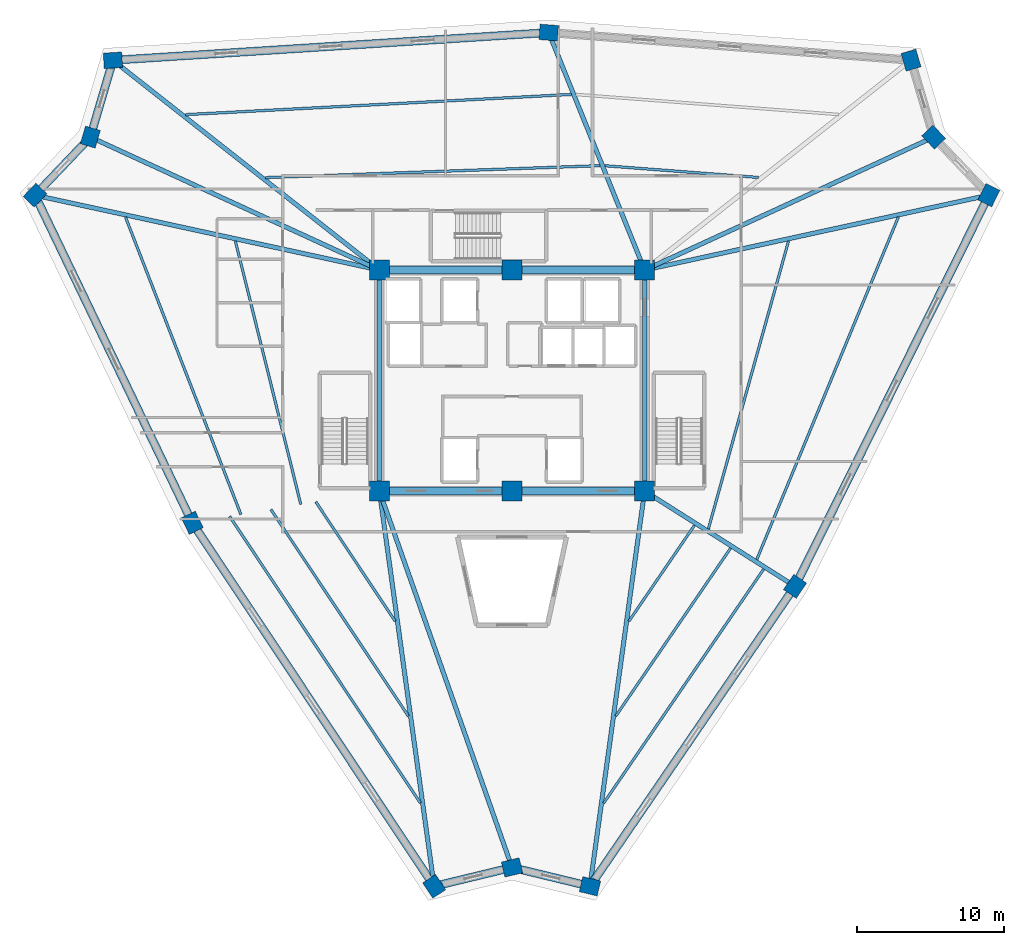
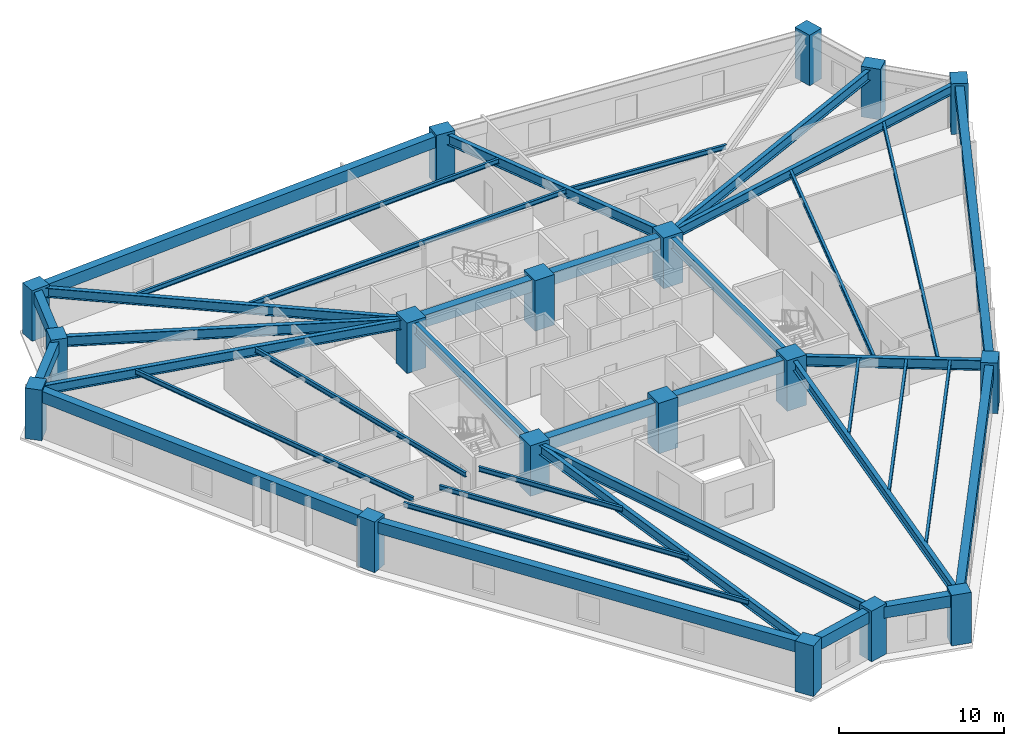
# One storey, part 1 of 8: 38 beams, 18 columns.
"""IFC4 building model written with IfcOpenShell, lengths in metres."""

from ifc_helpers import new_model, si_unit, direction, frame, origin, origin_2d, place, context, subcontext, project, spatial, rectangle, i_section, extrude, source, transform, mapped, material, material_profile, profile_set, type_object, element, save


model = new_model("IFC4")

# Units and contexts
model_context = context("Model", 3, precision=1e-05, world=origin(), true_north=direction((0.0, 1.0)))
body_context = subcontext(model_context, "Body", "Model", "MODEL_VIEW")
ifc_project = project(units=[si_unit("LENGTHUNIT", "METRE"), si_unit("AREAUNIT", "SQUARE_METRE"), si_unit("VOLUMEUNIT", "CUBIC_METRE"), si_unit("PLANEANGLEUNIT", "RADIAN"), si_unit("MASSUNIT", "GRAM", prefix="KILO")], contexts=[model_context])

# Site, building, storey
site_placement = place(None, origin())
site = spatial("IfcSite", under=ifc_project, at=site_placement, CompositionType="ELEMENT")
building_placement = place(site_placement, origin())
building = spatial("IfcBuilding", under=site, at=building_placement, Name="Liaohun Quay Tower", CompositionType="ELEMENT")
storey_placement = place(building_placement, frame((0.0, 0.0, 240.0)))
storey = spatial("IfcBuildingStorey", under=building, at=storey_placement, Name="L62", CompositionType="ELEMENT", Elevation=240.0)

# Columns
ifc_material_1 = material(Name="Concrete C55", Category="concrete")
ifc_material_profile_1 = material_profile(ifc_material_1, rectangle(XDim=1.35009765625, YDim=1.35009765625, at=origin_2d()), Name="RC1350x1350")
ifc_profile_set_1 = profile_set([ifc_material_profile_1], Name="Concrete C55")
column_type_1 = type_object("IfcColumnType", Name="COL-CC-Z3", PredefinedType="COLUMN", material=ifc_profile_set_1)
shared_shape_1 = source(origin(), body_context, "Body", "SweptSolid", [
    extrude(rectangle(XDim=1.35009765625, YDim=1.35009765625, at=origin_2d()), origin(), (0.0, 0.0, 1.0), 3.75),
])
for number, where, z_axis, x_axis, name in (
    (1, (51.0, 46.5, 0.0), (0.0, 0.0, 1.0), (1.0, 0.0, 0.0), "L62 Core Column CC1"),
    (2, (60.0, 46.5, 0.0), (0.0, 0.0, 1.0), (1.0, 0.0, 0.0), "L62 Core Column CC2"),
    (3, (69.0, 46.5, 0.0), (0.0, 0.0, 1.0), (1.0, 0.0, 0.0), "L62 Core Column CC3"),
    (4, (69.0, 61.5, 0.0), (0.0, 0.0, 1.0), (1.0, 0.0, 0.0), "L62 Core Column CC4"),
    (5, (60.0, 61.5, 0.0), (0.0, 0.0, 1.0), (1.0, 0.0, 0.0), "L62 Core Column CC5"),
    (6, (51.0, 61.5, 0.0), (0.0, 0.0, 1.0), (1.0, 0.0, 0.0), "L62 Core Column CC6"),
):
    element("IfcColumn", number, at=place(storey_placement, frame(where, z_axis=z_axis, x_axis=x_axis)), inside=storey, type_object=column_type_1, Name=name, PredefinedType="COLUMN", context=body_context, shape_type="MappedRepresentation", body=[
        mapped(shared_shape_1, transform((0.0, 0.0, 0.0), x_axis=(1.0, 0.0, 0.0), y_axis=(0.0, 1.0, 0.0), z_axis=(0.0, 0.0, 1.0), scale=1.0)),
    ])
ifc_material_profile_2 = material_profile(ifc_material_1, rectangle(XDim=1.25, YDim=1.050048828125, at=origin_2d()), Name="RC1250x1050")
ifc_profile_set_2 = profile_set([ifc_material_profile_2], Name="Concrete C55")
column_type_2 = type_object("IfcColumnType", Name="COL-PIER-Z3", PredefinedType="COLUMN", material=ifc_profile_set_2)
shared_shape_2 = source(origin(), body_context, "Body", "SweptSolid", [
    extrude(rectangle(XDim=1.25, YDim=1.050048828125, at=origin_2d()), origin(), (0.0, 0.0, 1.0), 3.75),
])
for number, where, z_axis, x_axis, name in (
    (7, (54.715087890625, 19.677001953125, 0.0), (0.0, 0.0, 1.0), (-0.55397290306, 0.83253469758, 0.0), "L62 Perimeter Pier PC01"),
    (8, (38.300048828125, 44.346923828125, 0.0), (0.0, 0.0, 1.0), (-0.43271524133, 0.9015306539, 0.0), "L62 Perimeter Pier PC02"),
    (9, (27.626953125, 66.5791015625, 0.0), (0.0, 0.0, 1.0), (0.68936671806, 0.724412539946, 0.0), "L62 Perimeter Pier PC03"),
    (10, (31.381103515625, 70.52392578125, 0.0), (0.0, 0.0, 1.0), (0.282508884416, 0.959264682049, 0.0), "L62 Perimeter Pier PC04"),
    (11, (32.9169921875, 75.738037109375, 0.0), (0.0, 0.0, 1.0), (0.997982649167, 0.063487258268, 0.0), "L62 Perimeter Pier PC05"),
    (12, (62.490966796875, 77.6201171875, 0.0), (0.0, 0.0, 1.0), (-0.997106069232, 0.076022935354, 0.0), "L62 Perimeter Pier PC06"),
    (13, (87.080078125, 75.74609375, 0.0), (0.0, 0.0, 1.0), (-0.282508884416, 0.959264682049, 0.0), "L62 Perimeter Pier PC07"),
    (14, (88.618896484375, 70.52392578125, 0.0), (0.0, 0.0, 1.0), (-0.68936671806, 0.724412539946, 0.0), "L62 Perimeter Pier PC08"),
    (15, (92.366943359375, 66.5849609375, 0.0), (0.0, 0.0, 1.0), (0.444009746106, 0.896021955849, 0.0), "L62 Perimeter Pier PC09"),
    (16, (79.2099609375, 40.033935546875, 0.0), (0.0, 0.0, 1.0), (0.564390827903, 0.825507718546, 0.0), "L62 Perimeter Pier PC10"),
    (17, (65.2919921875, 19.675048828125, 0.0), (0.0, 0.0, 1.0), (-0.972043021443, 0.234802820391, 0.0), "L62 Perimeter Pier PC11"),
    (18, (60.0, 20.952880859375, 0.0), (0.0, 0.0, 1.0), (0.972043021443, 0.234802820391, 0.0), "L62 Perimeter Pier PC12"),
):
    element("IfcColumn", number, at=place(storey_placement, frame(where, z_axis=z_axis, x_axis=x_axis)), inside=storey, type_object=column_type_2, Name=name, PredefinedType="COLUMN", context=body_context, shape_type="MappedRepresentation", body=[
        mapped(shared_shape_2, transform((0.0, 0.0, 0.0), x_axis=(1.0, 0.0, 0.0), y_axis=(0.0, 1.0, 0.0), z_axis=(0.0, 0.0, 1.0), scale=1.0)),
    ])

# Beams
ifc_material_2 = material(Name="Steel Q355D", Category="steel")
ifc_material_profile_3 = material_profile(ifc_material_2, i_section(OverallWidth=0.300048828125, OverallDepth=0.800048828125, WebThickness=0.013916015625, FlangeThickness=0.02587890625, at=origin_2d()), Name="HN800x300x14x26")
ifc_profile_set_3 = profile_set([ifc_material_profile_3], Name="Steel Q355D")
beam_type_1 = type_object("IfcBeamType", Name="BM-RAD-M1", PredefinedType="BEAM", material=ifc_profile_set_3)
shared_shape_3 = source(origin(), body_context, "Body", "SweptSolid", [
    extrude(i_section(OverallWidth=0.300048828125, OverallDepth=0.800048828125, WebThickness=0.013916015625, FlangeThickness=0.02587890625, at=origin_2d()), origin(), (0.0, 0.0, 1.0), 15.0),
])
for number, where, z_axis, x_axis, name in (
    (19, (69.0, 46.5, 3.169921875), (0.0, 1.0, 0.0), (-1.0, 0.0, 0.0), "L62 Core Coupling/Ring Beam CC3-CC4"),
    (20, (51.0, 61.5, 3.169921875), (0.0, -1.0, 0.0), (1.0, 0.0, 0.0), "L62 Core Coupling/Ring Beam CC6-CC1"),
):
    element("IfcBeam", number, at=place(storey_placement, frame(where, z_axis=z_axis, x_axis=x_axis)), inside=storey, type_object=beam_type_1, Name=name, PredefinedType="BEAM", context=body_context, shape_type="MappedRepresentation", body=[
        mapped(shared_shape_3, transform((0.0, 0.0, 0.0), x_axis=(1.0, 0.0, 0.0), y_axis=(0.0, 1.0, 0.0), z_axis=(0.0, 0.0, 1.0), scale=1.0)),
    ])
ifc_material_profile_4 = material_profile(ifc_material_1, rectangle(XDim=0.550048828125, YDim=0.89990234375, at=origin_2d()), Name="RC550x900")
ifc_profile_set_4 = profile_set([ifc_material_profile_4], Name="Concrete C55")
beam_type_2 = type_object("IfcBeamType", Name="BM-CPL-2", PredefinedType="LINTEL", material=ifc_profile_set_4)
shared_shape_4 = source(origin(), body_context, "Body", "SweptSolid", [
    extrude(rectangle(XDim=0.550048828125, YDim=0.89990234375, at=origin_2d()), origin(), (0.0, 0.0, 1.0), 9.0),
])
for number, where, z_axis, x_axis, name in (
    (21, (51.0, 46.5, 3.1201171875), (1.0, 0.0, 0.0), (0.0, 1.0, 0.0), "L62 Core Coupling/Ring Beam CC1-CC2"),
    (22, (60.0, 46.5, 3.1201171875), (1.0, 0.0, 0.0), (0.0, 1.0, 0.0), "L62 Core Coupling/Ring Beam CC2-CC3"),
    (23, (69.0, 61.5, 3.1201171875), (-1.0, 0.0, 0.0), (0.0, -1.0, 0.0), "L62 Core Coupling/Ring Beam CC4-CC5"),
    (24, (60.0, 61.5, 3.1201171875), (-1.0, 0.0, 0.0), (0.0, -1.0, 0.0), "L62 Core Coupling/Ring Beam CC5-CC6"),
):
    element("IfcBeam", number, at=place(storey_placement, frame(where, z_axis=z_axis, x_axis=x_axis)), inside=storey, type_object=beam_type_2, Name=name, PredefinedType="LINTEL", context=body_context, shape_type="MappedRepresentation", body=[
        mapped(shared_shape_4, transform((0.0, 0.0, 0.0), x_axis=(1.0, 0.0, 0.0), y_axis=(0.0, 1.0, 0.0), z_axis=(0.0, 0.0, 1.0), scale=1.0)),
    ])
ifc_material_profile_5 = material_profile(ifc_material_2, i_section(OverallWidth=0.300048828125, OverallDepth=0.699951171875, WebThickness=0.012939453125, FlangeThickness=0.02392578125, at=origin_2d()), Name="HN700x300x13x24")
ifc_profile_set_5 = profile_set([ifc_material_profile_5], Name="Steel Q355D")
beam_type_3 = type_object("IfcBeamType", Name="BM-RAD-U1", PredefinedType="BEAM", material=ifc_profile_set_5)
shared_shape_5 = source(origin(), body_context, "Body", "SweptSolid", [
    extrude(i_section(OverallWidth=0.300048828125, OverallDepth=0.699951171875, WebThickness=0.012939453125, FlangeThickness=0.02392578125, at=origin_2d()), origin(), (0.0, 0.0, 1.0), 27.0791015625),
])
beam_1_placement = place(storey_placement, frame((51.0, 46.5, 3.219970703125), z_axis=(0.137194159402, -0.990544175, 0.0), x_axis=(0.990544175, 0.137194159402, 0.0)))
element("IfcBeam", 25, at=beam_1_placement, inside=storey, type_object=beam_type_3, Name="L62 Radial Primary Girder CC1-PC01", PredefinedType="BEAM", context=body_context, shape_type="MappedRepresentation", body=[
    mapped(shared_shape_5, transform((0.0, 0.0, 0.0), x_axis=(1.0, 0.0, 0.0), y_axis=(0.0, 1.0, 0.0), z_axis=(0.0, 0.0, 1.0), scale=1.0)),
])
shared_shape_6 = source(origin(), body_context, "Body", "SweptSolid", [
    extrude(i_section(OverallWidth=0.300048828125, OverallDepth=0.699951171875, WebThickness=0.012939453125, FlangeThickness=0.02392578125, at=origin_2d()), origin(), (0.0, 0.0, 1.0), 23.91845703125),
])
beam_2_placement = place(storey_placement, frame((51.0, 61.5, 3.219970703125), z_axis=(-0.977193679701, 0.212349976106, 0.0), x_axis=(-0.212349976106, -0.977193679701, 0.0)))
element("IfcBeam", 26, at=beam_2_placement, inside=storey, type_object=beam_type_3, Name="L62 Radial Primary Girder CC6-PC03", PredefinedType="BEAM", context=body_context, shape_type="MappedRepresentation", body=[
    mapped(shared_shape_6, transform((0.0, 0.0, 0.0), x_axis=(1.0, 0.0, 0.0), y_axis=(0.0, 1.0, 0.0), z_axis=(0.0, 0.0, 1.0), scale=1.0)),
])
ifc_material_profile_6 = material_profile(ifc_material_2, i_section(OverallWidth=0.300048828125, OverallDepth=0.75, WebThickness=0.013916015625, FlangeThickness=0.02587890625, at=origin_2d()), Name="HN750x300x14x26")
ifc_profile_set_6 = profile_set([ifc_material_profile_6], Name="Steel Q355D")
beam_type_4 = type_object("IfcBeamType", Name="BM-RAD-M2", PredefinedType="BEAM", material=ifc_profile_set_6)
shared_shape_7 = source(origin(), body_context, "Body", "SweptSolid", [
    extrude(i_section(OverallWidth=0.300048828125, OverallDepth=0.75, WebThickness=0.013916015625, FlangeThickness=0.02587890625, at=origin_2d()), origin(), (0.0, 0.0, 1.0), 21.5947265625),
])
for number, where, z_axis, x_axis, name in (
    (27, (51.0, 61.5, 3.195068359375), (-0.908503930052, 0.417876308349, 0.0), (-0.417876308349, -0.908503930052, 0.0), "L62 Radial Primary Girder CC6-PC04"),
    (28, (69.0, 61.5, 3.195068359375), (0.908503930052, 0.417876308349, 0.0), (-0.417876308349, 0.908503930052, 0.0), "L62 Radial Primary Girder CC4-PC08"),
):
    element("IfcBeam", number, at=place(storey_placement, frame(where, z_axis=z_axis, x_axis=x_axis)), inside=storey, type_object=beam_type_4, Name=name, PredefinedType="BEAM", context=body_context, shape_type="MappedRepresentation", body=[
        mapped(shared_shape_7, transform((0.0, 0.0, 0.0), x_axis=(1.0, 0.0, 0.0), y_axis=(0.0, 1.0, 0.0), z_axis=(0.0, 0.0, 1.0), scale=1.0)),
    ])
shared_shape_8 = source(origin(), body_context, "Body", "SweptSolid", [
    extrude(i_section(OverallWidth=0.300048828125, OverallDepth=0.699951171875, WebThickness=0.012939453125, FlangeThickness=0.02392578125, at=origin_2d()), origin(), (0.0, 0.0, 1.0), 23.015625),
])
beam_3_placement = place(storey_placement, frame((51.0, 61.5, 3.219970703125), z_axis=(-0.785685551866, 0.618626069278, 0.0), x_axis=(-0.618626069278, -0.785685551866, 0.0)))
element("IfcBeam", 29, at=beam_3_placement, inside=storey, type_object=beam_type_3, Name="L62 Radial Primary Girder CC6-PC05", PredefinedType="BEAM", context=body_context, shape_type="MappedRepresentation", body=[
    mapped(shared_shape_8, transform((0.0, 0.0, 0.0), x_axis=(1.0, 0.0, 0.0), y_axis=(0.0, 1.0, 0.0), z_axis=(0.0, 0.0, 1.0), scale=1.0)),
])
shared_shape_9 = source(origin(), body_context, "Body", "SweptSolid", [
    extrude(i_section(OverallWidth=0.300048828125, OverallDepth=0.75, WebThickness=0.013916015625, FlangeThickness=0.02587890625, at=origin_2d()), origin(), (0.0, 0.0, 1.0), 17.384521484375),
])
beam_4_placement = place(storey_placement, frame((69.0, 61.5, 3.195068359375), z_axis=(-0.374412894449, 0.927262090495, 0.0), x_axis=(-0.927262090495, -0.374412894449, 0.0)))
element("IfcBeam", 30, at=beam_4_placement, inside=storey, type_object=beam_type_4, Name="L62 Radial Primary Girder CC4-PC06", PredefinedType="BEAM", context=body_context, shape_type="MappedRepresentation", body=[
    mapped(shared_shape_9, transform((0.0, 0.0, 0.0), x_axis=(1.0, 0.0, 0.0), y_axis=(0.0, 1.0, 0.0), z_axis=(0.0, 0.0, 1.0), scale=1.0)),
])
shared_shape_10 = source(origin(), body_context, "Body", "SweptSolid", [
    extrude(i_section(OverallWidth=0.300048828125, OverallDepth=0.699951171875, WebThickness=0.012939453125, FlangeThickness=0.02392578125, at=origin_2d()), origin(), (0.0, 0.0, 1.0), 23.913818359375),
])
beam_5_placement = place(storey_placement, frame((69.0, 61.5, 3.219970703125), z_axis=(0.977131285161, 0.212636900746, 0.0), x_axis=(-0.212636900746, 0.977131285161, 0.0)))
element("IfcBeam", 31, at=beam_5_placement, inside=storey, type_object=beam_type_3, Name="L62 Radial Primary Girder CC4-PC09", PredefinedType="BEAM", context=body_context, shape_type="MappedRepresentation", body=[
    mapped(shared_shape_10, transform((0.0, 0.0, 0.0), x_axis=(1.0, 0.0, 0.0), y_axis=(0.0, 1.0, 0.0), z_axis=(0.0, 0.0, 1.0), scale=1.0)),
])
shared_shape_11 = source(origin(), body_context, "Body", "SweptSolid", [
    extrude(i_section(OverallWidth=0.300048828125, OverallDepth=0.75, WebThickness=0.013916015625, FlangeThickness=0.02587890625, at=origin_2d()), origin(), (0.0, 0.0, 1.0), 12.085205078125),
])
beam_6_placement = place(storey_placement, frame((69.0, 46.5, 3.195068359375), z_axis=(0.844828206974, -0.535037662881, 0.0), x_axis=(0.535037662881, 0.844828206974, 0.0)))
element("IfcBeam", 32, at=beam_6_placement, inside=storey, type_object=beam_type_4, Name="L62 Radial Primary Girder CC3-PC10", PredefinedType="BEAM", context=body_context, shape_type="MappedRepresentation", body=[
    mapped(shared_shape_11, transform((0.0, 0.0, 0.0), x_axis=(1.0, 0.0, 0.0), y_axis=(0.0, 1.0, 0.0), z_axis=(0.0, 0.0, 1.0), scale=1.0)),
])
shared_shape_12 = source(origin(), body_context, "Body", "SweptSolid", [
    extrude(i_section(OverallWidth=0.300048828125, OverallDepth=0.699951171875, WebThickness=0.012939453125, FlangeThickness=0.02392578125, at=origin_2d()), origin(), (0.0, 0.0, 1.0), 27.080078125),
])
beam_7_placement = place(storey_placement, frame((69.0, 46.5, 3.219970703125), z_axis=(-0.136927823784, -0.990581027011, 0.0), x_axis=(0.990581027011, -0.136927823784, 0.0)))
element("IfcBeam", 33, at=beam_7_placement, inside=storey, type_object=beam_type_3, Name="L62 Radial Primary Girder CC3-PC11", PredefinedType="BEAM", context=body_context, shape_type="MappedRepresentation", body=[
    mapped(shared_shape_12, transform((0.0, 0.0, 0.0), x_axis=(1.0, 0.0, 0.0), y_axis=(0.0, 1.0, 0.0), z_axis=(0.0, 0.0, 1.0), scale=1.0)),
])
shared_shape_13 = source(origin(), body_context, "Body", "SweptSolid", [
    extrude(i_section(OverallWidth=0.300048828125, OverallDepth=0.75, WebThickness=0.013916015625, FlangeThickness=0.02587890625, at=origin_2d()), origin(), (0.0, 0.0, 1.0), 27.086181640625),
])
beam_8_placement = place(storey_placement, frame((51.0, 46.5, 3.195068359375), z_axis=(0.332274092752, -0.943182870543, 0.0), x_axis=(0.943182870543, 0.332274092752, 0.0)))
element("IfcBeam", 34, at=beam_8_placement, inside=storey, type_object=beam_type_4, Name="L62 Radial Primary Girder CC1-PC12", PredefinedType="BEAM", context=body_context, shape_type="MappedRepresentation", body=[
    mapped(shared_shape_13, transform((0.0, 0.0, 0.0), x_axis=(1.0, 0.0, 0.0), y_axis=(0.0, 1.0, 0.0), z_axis=(0.0, 0.0, 1.0), scale=1.0)),
])
ifc_material_profile_7 = material_profile(ifc_material_2, i_section(OverallWidth=0.175048828125, OverallDepth=0.35009765625, WebThickness=0.007080078125, FlangeThickness=0.010986328125, at=origin_2d()), Name="HN350x175x7x11")
ifc_profile_set_7 = profile_set([ifc_material_profile_7], Name="Steel Q355D")
beam_type_5 = type_object("IfcBeamType", Name="BM-SEC-J3", PredefinedType="JOIST", material=ifc_profile_set_7)
shared_shape_14 = source(origin(), body_context, "Body", "SweptSolid", [
    extrude(i_section(OverallWidth=0.175048828125, OverallDepth=0.35009765625, WebThickness=0.007080078125, FlangeThickness=0.010986328125, at=origin_2d()), origin(), (0.0, 0.0, 1.0), 9.7294921875),
])
beam_9_placement = place(storey_placement, frame((52.072021484375, 37.66796875, 3.39501953125), z_axis=(-0.553993544208, 0.832520962484, 0.0), x_axis=(-0.832520962484, -0.553993544208, 0.0)))
element("IfcBeam", 35, at=beam_9_placement, inside=storey, type_object=beam_type_5, Name="L62 Wing Secondary Floor Joist SJ-01", PredefinedType="JOIST", context=body_context, shape_type="MappedRepresentation", body=[
    mapped(shared_shape_14, transform((0.0, 0.0, 0.0), x_axis=(1.0, 0.0, 0.0), y_axis=(0.0, 1.0, 0.0), z_axis=(0.0, 0.0, 1.0), scale=1.0)),
])
shared_shape_15 = source(origin(), body_context, "Body", "SweptSolid", [
    extrude(i_section(OverallWidth=0.175048828125, OverallDepth=0.35009765625, WebThickness=0.007080078125, FlangeThickness=0.010986328125, at=origin_2d()), origin(), (0.0, 0.0, 1.0), 16.8408203125),
])
beam_10_placement = place(storey_placement, frame((52.962890625, 31.22998046875, 3.39501953125), z_axis=(-0.553940551333, 0.83255622368, 0.0), x_axis=(-0.83255622368, -0.553940551333, 0.0)))
element("IfcBeam", 36, at=beam_10_placement, inside=storey, type_object=beam_type_5, Name="L62 Wing Secondary Floor Joist SJ-02", PredefinedType="JOIST", context=body_context, shape_type="MappedRepresentation", body=[
    mapped(shared_shape_15, transform((0.0, 0.0, 0.0), x_axis=(1.0, 0.0, 0.0), y_axis=(0.0, 1.0, 0.0), z_axis=(0.0, 0.0, 1.0), scale=1.0)),
])
shared_shape_16 = source(origin(), body_context, "Body", "SweptSolid", [
    extrude(i_section(OverallWidth=0.175048828125, OverallDepth=0.35009765625, WebThickness=0.007080078125, FlangeThickness=0.010986328125, at=origin_2d()), origin(), (0.0, 0.0, 1.0), 23.36083984375),
])
beam_11_placement = place(storey_placement, frame((53.781005859375, 25.3291015625, 3.39501953125), z_axis=(-0.55395716171, 0.832545171741, 0.0), x_axis=(-0.832545171741, -0.55395716171, 0.0)))
element("IfcBeam", 37, at=beam_11_placement, inside=storey, type_object=beam_type_5, Name="L62 Wing Secondary Floor Joist SJ-03", PredefinedType="JOIST", context=body_context, shape_type="MappedRepresentation", body=[
    mapped(shared_shape_16, transform((0.0, 0.0, 0.0), x_axis=(1.0, 0.0, 0.0), y_axis=(0.0, 1.0, 0.0), z_axis=(0.0, 0.0, 1.0), scale=1.0)),
])
shared_shape_17 = source(origin(), body_context, "Body", "SweptSolid", [
    extrude(i_section(OverallWidth=0.175048828125, OverallDepth=0.35009765625, WebThickness=0.007080078125, FlangeThickness=0.010986328125, at=origin_2d()), origin(), (0.0, 0.0, 1.0), 18.418701171875),
])
beam_12_placement = place(storey_placement, frame((45.666015625, 45.595947265625, 3.39501953125), z_axis=(-0.241163090818, 0.970484602468, 0.0), x_axis=(-0.970484602468, -0.241163090818, 0.0)))
element("IfcBeam", 38, at=beam_12_placement, inside=storey, type_object=beam_type_5, Name="L62 Wing Secondary Floor Joist SJ-04", PredefinedType="JOIST", context=body_context, shape_type="MappedRepresentation", body=[
    mapped(shared_shape_17, transform((0.0, 0.0, 0.0), x_axis=(1.0, 0.0, 0.0), y_axis=(0.0, 1.0, 0.0), z_axis=(0.0, 0.0, 1.0), scale=1.0)),
])
shared_shape_18 = source(origin(), body_context, "Body", "SweptSolid", [
    extrude(i_section(OverallWidth=0.175048828125, OverallDepth=0.35009765625, WebThickness=0.007080078125, FlangeThickness=0.010986328125, at=origin_2d()), origin(), (0.0, 0.0, 1.0), 21.650634765625),
])
beam_13_placement = place(storey_placement, frame((41.60205078125, 44.906982421875, 3.39501953125), z_axis=(-0.361789906789, 0.932259654466, 0.0), x_axis=(-0.932259654466, -0.361789906789, 0.0)))
element("IfcBeam", 39, at=beam_13_placement, inside=storey, type_object=beam_type_5, Name="L62 Wing Secondary Floor Joist SJ-05", PredefinedType="JOIST", context=body_context, shape_type="MappedRepresentation", body=[
    mapped(shared_shape_18, transform((0.0, 0.0, 0.0), x_axis=(1.0, 0.0, 0.0), y_axis=(0.0, 1.0, 0.0), z_axis=(0.0, 0.0, 1.0), scale=1.0)),
])
shared_shape_19 = source(origin(), body_context, "Body", "SweptSolid", [
    extrude(i_section(OverallWidth=0.175048828125, OverallDepth=0.35009765625, WebThickness=0.007080078125, FlangeThickness=0.010986328125, at=origin_2d()), origin(), (0.0, 0.0, 1.0), 22.716796875),
])
beam_14_placement = place(storey_placement, frame((43.27490234375, 67.77294921875, 3.39501953125), z_axis=(0.999357861205, 0.035831065398, 0.0), x_axis=(-0.035831065398, 0.999357861205, 0.0)))
element("IfcBeam", 40, at=beam_14_placement, inside=storey, type_object=beam_type_5, Name="L62 Wing Secondary Floor Joist SJ-06", PredefinedType="JOIST", context=body_context, shape_type="MappedRepresentation", body=[
    mapped(shared_shape_19, transform((0.0, 0.0, 0.0), x_axis=(1.0, 0.0, 0.0), y_axis=(0.0, 1.0, 0.0), z_axis=(0.0, 0.0, 1.0), scale=1.0)),
])
shared_shape_20 = source(origin(), body_context, "Body", "SweptSolid", [
    extrude(i_section(OverallWidth=0.175048828125, OverallDepth=0.35009765625, WebThickness=0.007080078125, FlangeThickness=0.010986328125, at=origin_2d()), origin(), (0.0, 0.0, 1.0), 26.21484375),
])
beam_15_placement = place(storey_placement, frame((37.845947265625, 72.048095703125, 3.39501953125), z_axis=(0.998629843216, 0.052330070121, 0.0), x_axis=(-0.052330070121, 0.998629843216, 0.0)))
element("IfcBeam", 41, at=beam_15_placement, inside=storey, type_object=beam_type_5, Name="L62 Wing Secondary Floor Joist SJ-07", PredefinedType="JOIST", context=body_context, shape_type="MappedRepresentation", body=[
    mapped(shared_shape_20, transform((0.0, 0.0, 0.0), x_axis=(1.0, 0.0, 0.0), y_axis=(0.0, 1.0, 0.0), z_axis=(0.0, 0.0, 1.0), scale=1.0)),
])
shared_shape_21 = source(origin(), body_context, "Body", "SweptSolid", [
    extrude(i_section(OverallWidth=0.175048828125, OverallDepth=0.35009765625, WebThickness=0.007080078125, FlangeThickness=0.010986328125, at=origin_2d()), origin(), (0.0, 0.0, 1.0), 10.461181640625),
])
beam_16_placement = place(storey_placement, frame((66.302978515625, 68.580078125, 3.39501953125), z_axis=(0.997106965928, -0.076011173506, 0.0), x_axis=(0.076011173506, 0.997106965928, 0.0)))
element("IfcBeam", 42, at=beam_16_placement, inside=storey, type_object=beam_type_5, Name="L62 Wing Secondary Floor Joist SJ-08", PredefinedType="JOIST", context=body_context, shape_type="MappedRepresentation", body=[
    mapped(shared_shape_21, transform((0.0, 0.0, 0.0), x_axis=(1.0, 0.0, 0.0), y_axis=(0.0, 1.0, 0.0), z_axis=(0.0, 0.0, 1.0), scale=1.0)),
])
shared_shape_22 = source(origin(), body_context, "Body", "SweptSolid", [
    extrude(i_section(OverallWidth=0.175048828125, OverallDepth=0.35009765625, WebThickness=0.007080078125, FlangeThickness=0.010986328125, at=origin_2d()), origin(), (0.0, 0.0, 1.0), 20.27978515625),
])
beam_17_placement = place(storey_placement, frame((78.76904296875, 63.471923828125, 3.39501953125), z_axis=(-0.268195801484, -0.963364423293, 0.0), x_axis=(0.963364423293, -0.268195801484, 0.0)))
element("IfcBeam", 43, at=beam_17_placement, inside=storey, type_object=beam_type_5, Name="L62 Wing Secondary Floor Joist SJ-10", PredefinedType="JOIST", context=body_context, shape_type="MappedRepresentation", body=[
    mapped(shared_shape_22, transform((0.0, 0.0, 0.0), x_axis=(1.0, 0.0, 0.0), y_axis=(0.0, 1.0, 0.0), z_axis=(0.0, 0.0, 1.0), scale=1.0)),
])
shared_shape_23 = source(origin(), body_context, "Body", "SweptSolid", [
    extrude(i_section(OverallWidth=0.175048828125, OverallDepth=0.35009765625, WebThickness=0.007080078125, FlangeThickness=0.010986328125, at=origin_2d()), origin(), (0.0, 0.0, 1.0), 25.14599609375),
])
beam_18_placement = place(storey_placement, frame((86.221923828125, 65.093994140625, 3.39501953125), z_axis=(-0.382085939007, -0.924126796069, 0.0), x_axis=(0.924126796069, -0.382085939007, 0.0)))
element("IfcBeam", 44, at=beam_18_placement, inside=storey, type_object=beam_type_5, Name="L62 Wing Secondary Floor Joist SJ-11", PredefinedType="JOIST", context=body_context, shape_type="MappedRepresentation", body=[
    mapped(shared_shape_23, transform((0.0, 0.0, 0.0), x_axis=(1.0, 0.0, 0.0), y_axis=(0.0, 1.0, 0.0), z_axis=(0.0, 0.0, 1.0), scale=1.0)),
])
shared_shape_24 = source(origin(), body_context, "Body", "SweptSolid", [
    extrude(i_section(OverallWidth=0.175048828125, OverallDepth=0.35009765625, WebThickness=0.007080078125, FlangeThickness=0.010986328125, at=origin_2d()), origin(), (0.0, 0.0, 1.0), 7.899169921875),
])
beam_19_placement = place(storey_placement, frame((72.386962890625, 44.177978515625, 3.39501953125), z_axis=(-0.564362556206, -0.825527046893, 0.0), x_axis=(0.825527046893, -0.564362556206, 0.0)))
element("IfcBeam", 45, at=beam_19_placement, inside=storey, type_object=beam_type_5, Name="L62 Wing Secondary Floor Joist SJ-12", PredefinedType="JOIST", context=body_context, shape_type="MappedRepresentation", body=[
    mapped(shared_shape_24, transform((0.0, 0.0, 0.0), x_axis=(1.0, 0.0, 0.0), y_axis=(0.0, 1.0, 0.0), z_axis=(0.0, 0.0, 1.0), scale=1.0)),
])
shared_shape_25 = source(origin(), body_context, "Body", "SweptSolid", [
    extrude(i_section(OverallWidth=0.175048828125, OverallDepth=0.35009765625, WebThickness=0.007080078125, FlangeThickness=0.010986328125, at=origin_2d()), origin(), (0.0, 0.0, 1.0), 13.817626953125),
])
beam_20_placement = place(storey_placement, frame((74.8369140625, 42.6259765625, 3.39501953125), z_axis=(-0.564342458791, -0.825540785913, 0.0), x_axis=(0.825540785913, -0.564342458791, 0.0)))
element("IfcBeam", 46, at=beam_20_placement, inside=storey, type_object=beam_type_5, Name="L62 Wing Secondary Floor Joist SJ-13", PredefinedType="JOIST", context=body_context, shape_type="MappedRepresentation", body=[
    mapped(shared_shape_25, transform((0.0, 0.0, 0.0), x_axis=(1.0, 0.0, 0.0), y_axis=(0.0, 1.0, 0.0), z_axis=(0.0, 0.0, 1.0), scale=1.0)),
])
shared_shape_26 = source(origin(), body_context, "Body", "SweptSolid", [
    extrude(i_section(OverallWidth=0.175048828125, OverallDepth=0.35009765625, WebThickness=0.007080078125, FlangeThickness=0.010986328125, at=origin_2d()), origin(), (0.0, 0.0, 1.0), 19.242431640625),
])
beam_21_placement = place(storey_placement, frame((77.0830078125, 41.202880859375, 3.39501953125), z_axis=(-0.56438595777, -0.825511048183, 0.0), x_axis=(0.825511048183, -0.56438595777, 0.0)))
element("IfcBeam", 47, at=beam_21_placement, inside=storey, type_object=beam_type_5, Name="L62 Wing Secondary Floor Joist SJ-14", PredefinedType="JOIST", context=body_context, shape_type="MappedRepresentation", body=[
    mapped(shared_shape_26, transform((0.0, 0.0, 0.0), x_axis=(1.0, 0.0, 0.0), y_axis=(0.0, 1.0, 0.0), z_axis=(0.0, 0.0, 1.0), scale=1.0)),
])
ifc_material_3 = material(Name="Precast concrete C50", Category="concrete")
ifc_material_profile_8 = material_profile(ifc_material_3, rectangle(XDim=0.550048828125, YDim=0.85009765625, at=origin_2d()), Name="RC550x850")
ifc_profile_set_8 = profile_set([ifc_material_profile_8], Name="Precast concrete C50")
beam_type_6 = type_object("IfcBeamType", Name="BM-SPD-Z3", PredefinedType="SPANDREL", material=ifc_profile_set_8)
shared_shape_27 = source(origin(), body_context, "Body", "SweptSolid", [
    extrude(rectangle(XDim=0.550048828125, YDim=0.85009765625, at=origin_2d()), origin(), (0.0, 0.0, 1.0), 29.632080078125),
])
for number, where, z_axis, x_axis, name in (
    (48, (54.715087890625, 19.677001953125, 3.14501953125), (-0.553962264344, 0.832541776539, 0.0), (-0.832541776539, -0.553962264344, 0.0), "L62 Precast Spandrel Beam PC01-PC02"),
    (49, (92.366943359375, 66.5849609375, 3.14501953125), (-0.444010685914, -0.896021490141, 0.0), (0.896021490141, -0.444010685914, 0.0), "L62 Precast Spandrel Beam PC09-PC10"),
):
    element("IfcBeam", number, at=place(storey_placement, frame(where, z_axis=z_axis, x_axis=x_axis)), inside=storey, type_object=beam_type_6, Name=name, PredefinedType="SPANDREL", context=body_context, shape_type="MappedRepresentation", body=[
        mapped(shared_shape_27, transform((0.0, 0.0, 0.0), x_axis=(1.0, 0.0, 0.0), y_axis=(0.0, 1.0, 0.0), z_axis=(0.0, 0.0, 1.0), scale=1.0)),
    ])
shared_shape_28 = source(origin(), body_context, "Body", "SweptSolid", [
    extrude(rectangle(XDim=0.550048828125, YDim=0.85009765625, at=origin_2d()), origin(), (0.0, 0.0, 1.0), 24.661376953125),
])
beam_22_placement = place(storey_placement, frame((38.300048828125, 44.346923828125, 3.14501953125), z_axis=(-0.432785457251, 0.90149694841, 0.0), x_axis=(-0.90149694841, -0.432785457251, 0.0)))
element("IfcBeam", 50, at=beam_22_placement, inside=storey, type_object=beam_type_6, Name="L62 Precast Spandrel Beam PC02-PC03", PredefinedType="SPANDREL", context=body_context, shape_type="MappedRepresentation", body=[
    mapped(shared_shape_28, transform((0.0, 0.0, 0.0), x_axis=(1.0, 0.0, 0.0), y_axis=(0.0, 1.0, 0.0), z_axis=(0.0, 0.0, 1.0), scale=1.0)),
])
shared_shape_29 = source(origin(), body_context, "Body", "SweptSolid", [
    extrude(rectangle(XDim=0.550048828125, YDim=0.85009765625, at=origin_2d()), origin(), (0.0, 0.0, 1.0), 5.445556640625),
])
beam_23_placement = place(storey_placement, frame((27.626953125, 66.5791015625, 3.14501953125), z_axis=(0.689383092633, 0.724396957194, 0.0), x_axis=(-0.724396957194, 0.689383092633, 0.0)))
element("IfcBeam", 51, at=beam_23_placement, inside=storey, type_object=beam_type_6, Name="L62 Precast Spandrel Beam PC03-PC04", PredefinedType="SPANDREL", context=body_context, shape_type="MappedRepresentation", body=[
    mapped(shared_shape_29, transform((0.0, 0.0, 0.0), x_axis=(1.0, 0.0, 0.0), y_axis=(0.0, 1.0, 0.0), z_axis=(0.0, 0.0, 1.0), scale=1.0)),
])
shared_shape_30 = source(origin(), body_context, "Body", "SweptSolid", [
    extrude(rectangle(XDim=0.550048828125, YDim=0.85009765625, at=origin_2d()), origin(), (0.0, 0.0, 1.0), 5.435546875),
])
beam_24_placement = place(storey_placement, frame((31.381103515625, 70.52392578125, 3.14501953125), z_axis=(0.282560236182, 0.959249557169, 0.0), x_axis=(-0.959249557169, 0.282560236182, 0.0)))
element("IfcBeam", 52, at=beam_24_placement, inside=storey, type_object=beam_type_6, Name="L62 Precast Spandrel Beam PC04-PC05", PredefinedType="SPANDREL", context=body_context, shape_type="MappedRepresentation", body=[
    mapped(shared_shape_30, transform((0.0, 0.0, 0.0), x_axis=(1.0, 0.0, 0.0), y_axis=(0.0, 1.0, 0.0), z_axis=(0.0, 0.0, 1.0), scale=1.0)),
])
shared_shape_31 = source(origin(), body_context, "Body", "SweptSolid", [
    extrude(rectangle(XDim=0.550048828125, YDim=0.85009765625, at=origin_2d()), origin(), (0.0, 0.0, 1.0), 29.6337890625),
])
beam_25_placement = place(storey_placement, frame((32.9169921875, 75.738037109375, 3.14501953125), z_axis=(0.997981121998, 0.063511259912, 0.0), x_axis=(-0.063511259912, 0.997981121998, 0.0)))
element("IfcBeam", 53, at=beam_25_placement, inside=storey, type_object=beam_type_6, Name="L62 Precast Spandrel Beam PC05-PC06", PredefinedType="SPANDREL", context=body_context, shape_type="MappedRepresentation", body=[
    mapped(shared_shape_31, transform((0.0, 0.0, 0.0), x_axis=(1.0, 0.0, 0.0), y_axis=(0.0, 1.0, 0.0), z_axis=(0.0, 0.0, 1.0), scale=1.0)),
])
shared_shape_32 = source(origin(), body_context, "Body", "SweptSolid", [
    extrude(rectangle(XDim=0.550048828125, YDim=0.85009765625, at=origin_2d()), origin(), (0.0, 0.0, 1.0), 5.444091796875),
])
beam_26_placement = place(storey_placement, frame((65.2919921875, 19.675048828125, 3.14501953125), z_axis=(-0.972063158785, 0.234719439614, 0.0), x_axis=(-0.234719439614, -0.972063158785, 0.0)))
element("IfcBeam", 54, at=beam_26_placement, inside=storey, type_object=beam_type_6, Name="L62 Precast Spandrel Beam PC11-PC12", PredefinedType="SPANDREL", context=body_context, shape_type="MappedRepresentation", body=[
    mapped(shared_shape_32, transform((0.0, 0.0, 0.0), x_axis=(1.0, 0.0, 0.0), y_axis=(0.0, 1.0, 0.0), z_axis=(0.0, 0.0, 1.0), scale=1.0)),
])
shared_shape_33 = source(origin(), body_context, "Body", "SweptSolid", [
    extrude(rectangle(XDim=0.550048828125, YDim=0.85009765625, at=origin_2d()), origin(), (0.0, 0.0, 1.0), 24.66162109375),
])
beam_27_placement = place(storey_placement, frame((79.2099609375, 40.033935546875, 3.14501953125), z_axis=(-0.564358080391, -0.825530106718, 0.0), x_axis=(0.825530106718, -0.564358080391, 0.0)))
element("IfcBeam", 55, at=beam_27_placement, inside=storey, type_object=beam_type_6, Name="L62 Precast Spandrel Beam PC10-PC11", PredefinedType="SPANDREL", context=body_context, shape_type="MappedRepresentation", body=[
    mapped(shared_shape_33, transform((0.0, 0.0, 0.0), x_axis=(1.0, 0.0, 0.0), y_axis=(0.0, 1.0, 0.0), z_axis=(0.0, 0.0, 1.0), scale=1.0)),
])
shared_shape_34 = source(origin(), body_context, "Body", "SweptSolid", [
    extrude(rectangle(XDim=0.550048828125, YDim=0.85009765625, at=origin_2d()), origin(), (0.0, 0.0, 1.0), 5.436767578125),
])
beam_28_placement = place(storey_placement, frame((60.0, 20.952880859375, 3.14501953125), z_axis=(-0.972073378115, -0.234677113412, 0.0), x_axis=(0.234677113412, -0.972073378115, 0.0)))
element("IfcBeam", 56, at=beam_28_placement, inside=storey, type_object=beam_type_6, Name="L62 Precast Spandrel Beam PC12-PC01", PredefinedType="SPANDREL", context=body_context, shape_type="MappedRepresentation", body=[
    mapped(shared_shape_34, transform((0.0, 0.0, 0.0), x_axis=(1.0, 0.0, 0.0), y_axis=(0.0, 1.0, 0.0), z_axis=(0.0, 0.0, 1.0), scale=1.0)),
])

save(model, "model.ifc")
